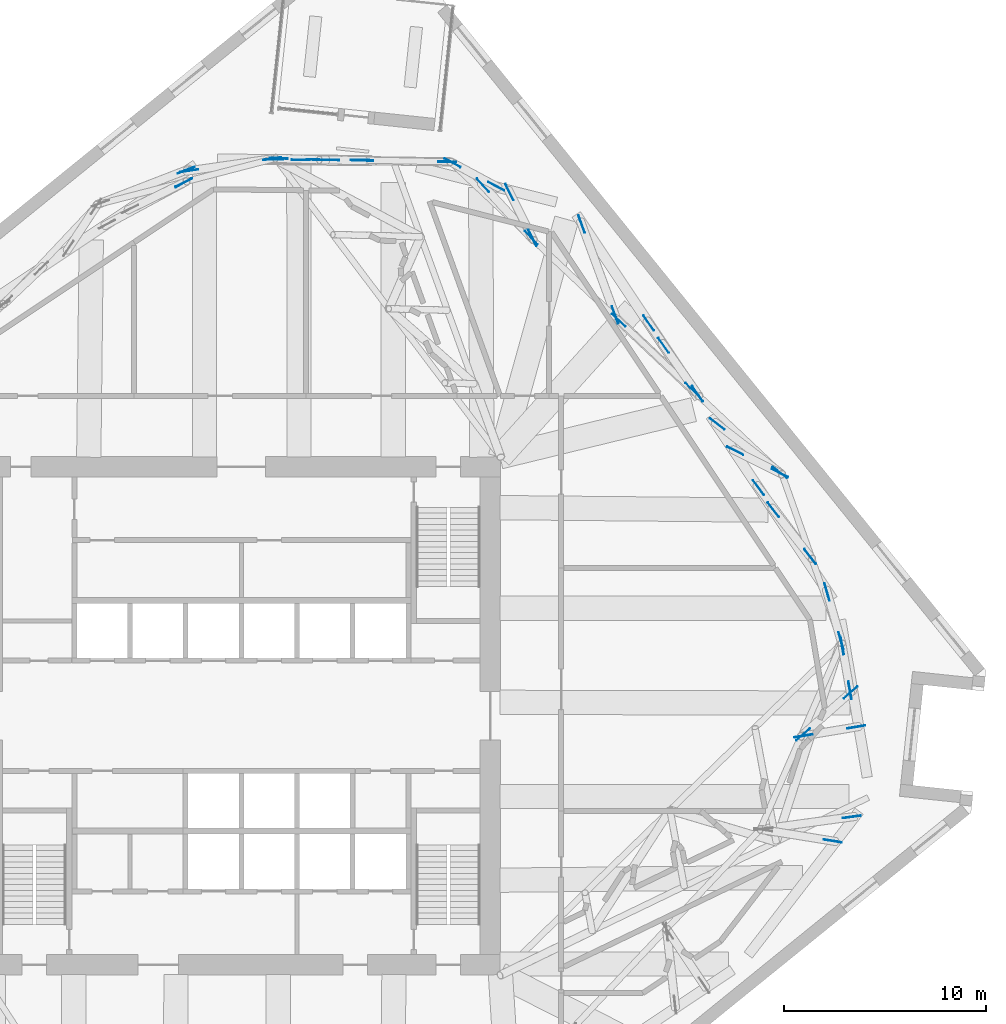
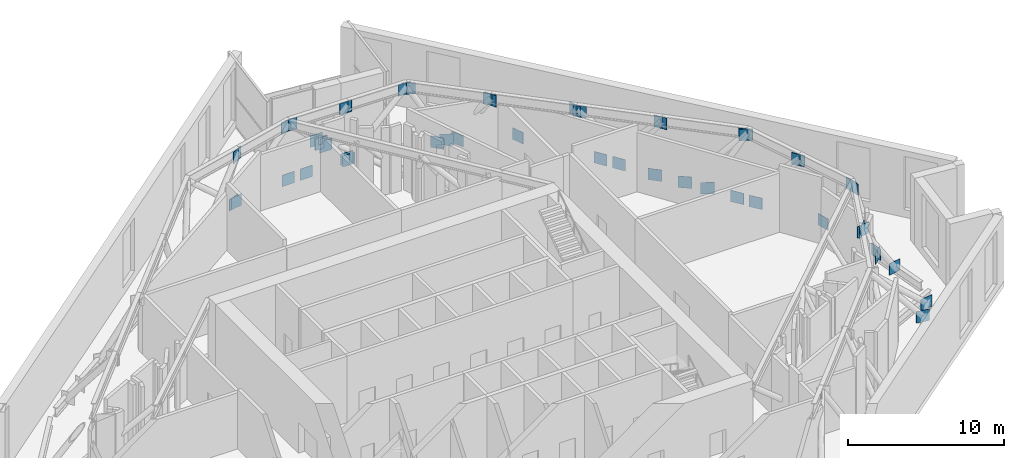
# One storey, part 15 of 17: 49 discrete accessories.
"""IFC4 building model written with IfcOpenShell, lengths in metres."""

from ifc_helpers import new_model, si_unit, direction, frame, origin, origin_2d, place, context, subcontext, project, spatial, rectangle, extrude, material, layer, layer_set, type_object, element, save


model = new_model("IFC4")

# Units and contexts
model_context = context("Model", 3, precision=1e-05, world=origin(), true_north=direction((0.0, 1.0)))
body_context = subcontext(model_context, "Body", "Model", "MODEL_VIEW")
ifc_project = project(units=[si_unit("LENGTHUNIT", "METRE"), si_unit("AREAUNIT", "SQUARE_METRE"), si_unit("VOLUMEUNIT", "CUBIC_METRE"), si_unit("PLANEANGLEUNIT", "RADIAN"), si_unit("MASSUNIT", "GRAM", prefix="KILO")], contexts=[model_context])

# Site, building, storey
site_placement = place(None, origin())
site = spatial("IfcSite", under=ifc_project, at=site_placement, CompositionType="ELEMENT")
building_placement = place(site_placement, origin())
building = spatial("IfcBuilding", under=site, at=building_placement, Name="Dilmun Exchange Tower", CompositionType="ELEMENT")
storey_placement = place(building_placement, frame((0.0, 0.0, 183.699951171875)))
storey = spatial("IfcBuildingStorey", under=building, at=storey_placement, Name="L43", CompositionType="ELEMENT", Elevation=183.699951171875)

# Discrete accessories
ifc_material = material(Name="Steel S355J2", Category="steel")
ifc_layer = layer(ifc_material, 0.034912109375)
ifc_layer_set = layer_set([ifc_layer], Name="Steel S355J2")
discrete_accessory_type = type_object("IfcDiscreteAccessoryType", Name="Gusset plate 35 x 900 x 900", PredefinedType="BRACKET", material=ifc_layer_set)
for number, where, z_axis, x_axis, name in (
    (1, (1.527587890625, 27.515380859375, 4.2041015625), (0.0, 0.0, 1.0), (-0.989822728933, -0.142305886343, 0.0), "Gusset plate L43-DG01 end 1"),
    (2, (-2.57568359375, 26.92529296875, 0.05908203125), (0.0, 0.0, 1.0), (-0.989822728933, -0.142305886343, 0.0), "Gusset plate L43-DG01 end 2"),
    (3, (1.845947265625, 27.532470703125, 4.2060546875), (0.0, 0.0, 1.0), (0.999404756052, -0.034498312711, 0.0), "Gusset plate L43-DG02 end 1"),
    (4, (3.69091796875, 27.46875, 2.404296875), (0.0, 0.0, 1.0), (0.999404756052, -0.034498312711, 0.0), "Gusset plate L43-DG02 end 2"),
    (5, (4.012939453125, 27.460693359375, 2.090087890625), (0.0, 0.0, 1.0), (0.999868780503, -0.016199437519, 0.0), "Gusset plate L43-DG02B end 1"),
    (6, (4.0673828125, 27.459716796875, 2.036865234375), (0.0, 0.0, 1.0), (0.999868780503, -0.016199437519, 0.0), "Gusset plate L43-DG02B end 2"),
    (7, (4.389404296875, 27.454345703125, 1.722412109375), (0.0, 0.0, 1.0), (0.999851358544, -0.017241253375, 0.0), "Gusset plate L43-DG02C end 1"),
    (8, (5.917236328125, 27.427978515625, 0.23095703125), (0.0, 0.0, 1.0), (0.999851358544, -0.017241253375, 0.0), "Gusset plate L43-DG02C end 2"),
    (9, (-2.83251953125, 26.339599609375, 4.180908203125), (0.0, 0.0, 1.0), (-0.89861800043, -0.438731910514, 0.0), "Gusset plate L43-DG03 end 1"),
    (10, (-2.8564453125, 26.32080078125, 4.206787109375), (0.0, 0.0, 1.0), (-0.880132077859, -0.47472889687, 0.0), "Gusset plate L43-DG04 end 1"),
    (11, (-2.7216796875, 26.953857421875, 0.052001953125), (0.0, 0.0, 1.0), (0.932783157662, 0.360438040142, 0.0), "Gusset plate L43-DG05 end 2"),
    (12, (30.15380859375, -4.993896484375, 0.0546875), (0.0, 0.0, 1.0), (0.990874368365, 0.134788672067, 0.0), "Gusset plate L43-DG45 end 2"),
    (13, (29.2177734375, -6.187255859375, 0.07177734375), (0.0, 0.0, 1.0), (0.98724208518, -0.159226459013, 0.0), "Gusset plate L43-DG46 end 2"),
    (14, (27.7666015625, -0.9931640625, 4.17431640625), (0.0, 0.0, 1.0), (0.986049542439, 0.16645209478, 0.0), "Gusset plate L43-DG47 end 1"),
    (15, (30.3759765625, -0.552734375, 0.0888671875), (0.0, 0.0, 1.0), (0.986049542439, 0.16645209478, 0.0), "Gusset plate L43-DG47 end 2"),
    (16, (27.748291015625, -0.923095703125, 4.18408203125), (0.0, 0.0, 1.0), (0.749077139678, 0.662482783785, 0.0), "Gusset plate L43-DG48 end 1"),
    (17, (30.0947265625, 1.152099609375, 0.0791015625), (0.0, 0.0, 1.0), (0.749077139678, 0.662482783785, 0.0), "Gusset plate L43-DG48 end 2"),
    (18, (29.62646484375, 3.695556640625, 4.171630859375), (0.0, 0.0, 1.0), (-0.275872228128, 0.961194316331, 0.0), "Gusset plate L43-DG49 end 1"),
    (19, (28.932373046875, 6.11376953125, 0.091552734375), (0.0, 0.0, 1.0), (-0.275872228128, 0.961194316331, 0.0), "Gusset plate L43-DG49 end 2"),
    (20, (29.678466796875, 3.470703125, 4.16845703125), (0.0, 0.0, 1.0), (0.1713685676, -0.985206990454, 0.0), "Gusset plate L43-DG50 end 1"),
    (21, (30.06396484375, 1.25341796875, 0.29345703125), (0.0, 0.0, 1.0), (0.1713685676, -0.985206990454, 0.0), "Gusset plate L43-DG50 end 2"),
    (22, (28.101318359375, 7.85986328125, 4.180419921875), (0.0, 0.0, 1.0), (-0.618195777983, 0.786024159988, 0.0), "Gusset plate L43-DG51 end 1"),
    (23, (26.279296875, 10.17626953125, 0.082763671875), (0.0, 0.0, 1.0), (-0.618195777983, 0.786024159988, 0.0), "Gusset plate L43-DG51 end 2"),
    (24, (28.086181640625, 7.885009765625, 4.205810546875), (0.0, 0.0, 1.0), (-0.599786383187, 0.800160168056, 0.0), "Gusset plate L43-DG52 end 1"),
    (25, (25.545654296875, 11.274169921875, 0.0576171875), (0.0, 0.0, 1.0), (-0.599786383187, 0.800160168056, 0.0), "Gusset plate L43-DG52 end 2"),
    (26, (26.583984375, 12.025390625, 4.199462890625), (0.0, 0.0, 1.0), (-0.790678888416, 0.612231080078, 0.0), "Gusset plate L43-DG53 end 1"),
    (27, (23.502197265625, 14.41162109375, 0.063720703125), (0.0, 0.0, 1.0), (-0.790678888416, 0.612231080078, 0.0), "Gusset plate L43-DG53 end 2"),
    (28, (26.601806640625, 11.9833984375, 4.170654296875), (0.0, 0.0, 1.0), (-0.893835163453, 0.448395696427, 0.0), "Gusset plate L43-DG54 end 1"),
    (29, (24.392822265625, 13.09130859375, 0.092529296875), (0.0, 0.0, 1.0), (-0.893835163453, 0.448395696427, 0.0), "Gusset plate L43-DG54 end 2"),
    (30, (22.537841796875, 15.896484375, 4.18017578125), (0.0, 0.0, 1.0), (-0.573602170488, 0.81913402445, 0.0), "Gusset plate L43-DG55 end 1"),
    (31, (20.852294921875, 18.303466796875, 0.0830078125), (0.0, 0.0, 1.0), (-0.573602170488, 0.81913402445, 0.0), "Gusset plate L43-DG55 end 2"),
    (32, (22.521728515625, 15.921142578125, 4.20556640625), (0.0, 0.0, 1.0), (-0.56804198545, 0.822999576407, 0.0), "Gusset plate L43-DG56 end 1"),
    (33, (20.119384765625, 19.40185546875, 0.0576171875), (0.0, 0.0, 1.0), (-0.56804198545, 0.822999576407, 0.0), "Gusset plate L43-DG56 end 2"),
    (34, (18.46142578125, 19.80615234375, 4.215087890625), (0.0, 0.0, 1.0), (-0.345630687122, 0.938370624071, 0.0), "Gusset plate L43-DG57 end 1"),
    (35, (16.809814453125, 24.2900390625, 0.048095703125), (0.0, 0.0, 1.0), (-0.345630687122, 0.938370624071, 0.0), "Gusset plate L43-DG57 end 2"),
    (36, (18.645263671875, 19.52880859375, 4.21826171875), (0.0, 0.0, 1.0), (0.727394401679, -0.686219632775, 0.0), "Gusset plate L43-DG58 end 1"),
    (37, (22.256591796875, 16.1220703125, 0.044921875), (0.0, 0.0, 1.0), (0.727394401679, -0.686219632775, 0.0), "Gusset plate L43-DG58 end 2"),
    (38, (14.327392578125, 23.613037109375, 4.192138671875), (0.0, 0.0, 1.0), (-0.677855619558, 0.735195048292, 0.0), "Gusset plate L43-DG59 end 1"),
    (39, (11.935546875, 26.207275390625, 0.071044921875), (0.0, 0.0, 1.0), (-0.677855619558, 0.735195048292, 0.0), "Gusset plate L43-DG59 end 2"),
    (40, (14.37353515625, 23.611328125, 4.171630859375), (0.0, 0.0, 1.0), (-0.44721435766, 0.89442680992, 0.0), "Gusset plate L43-DG60 end 1"),
    (41, (13.246337890625, 25.86572265625, 0.091552734375), (0.0, 0.0, 1.0), (-0.44721435766, 0.89442680992, 0.0), "Gusset plate L43-DG60 end 2"),
    (42, (10.174560546875, 27.3662109375, 4.203369140625), (0.0, 0.0, 1.0), (-0.999896487401, 0.014387997887, 0.0), "Gusset plate L43-DG61 end 1"),
    (43, (6.064453125, 27.42529296875, 0.059814453125), (0.0, 0.0, 1.0), (-0.999896487401, 0.014387997887, 0.0), "Gusset plate L43-DG61 end 2"),
    (44, (10.43505859375, 27.309326171875, 4.170166015625), (0.0, 0.0, 1.0), (0.881300153017, -0.472556917516, 0.0), "Gusset plate L43-DG62 end 1"),
    (45, (12.592529296875, 26.15234375, 0.093017578125), (0.0, 0.0, 1.0), (0.881300153017, -0.472556917516, 0.0), "Gusset plate L43-DG62 end 2"),
    (46, (5.8779296875, 27.451416015625, 4.18017578125), (0.0, 0.0, 1.0), (-0.999994196581, 0.003406876109, 0.0), "Gusset plate L43-DG63 end 1"),
    (47, (2.93994140625, 27.46142578125, 0.0830078125), (0.0, 0.0, 1.0), (-0.999994196581, 0.003406876109, 0.0), "Gusset plate L43-DG63 end 2"),
    (48, (5.848388671875, 27.451904296875, 4.20556640625), (0.0, 0.0, 1.0), (-0.999983922334, 0.00567054435, 0.0), "Gusset plate L43-DG64 end 1"),
    (49, (1.61962890625, 27.475830078125, 0.0576171875), (0.0, 0.0, 1.0), (-0.999983922334, 0.00567054435, 0.0), "Gusset plate L43-DG64 end 2"),
):
    element("IfcDiscreteAccessory", number, at=place(storey_placement, frame(where, z_axis=z_axis, x_axis=x_axis)), inside=storey, type_object=discrete_accessory_type, Name=name, PredefinedType="BRACKET", context=body_context, shape_type="SweptSolid", body=[
        extrude(rectangle(XDim=0.89990234375, YDim=0.034912109375, at=origin_2d()), origin(), (0.0, 0.0, 1.0), 0.89990234375),
    ])

save(model, "model.ifc")
